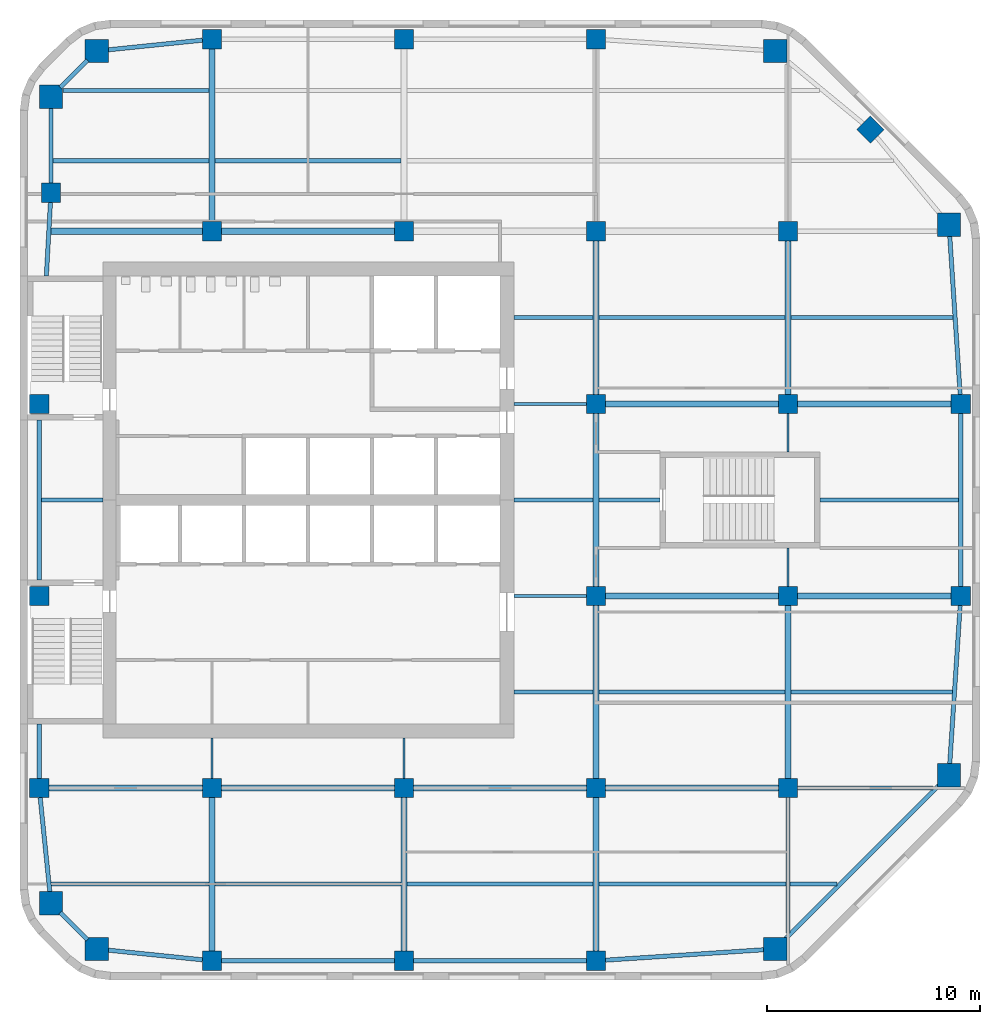
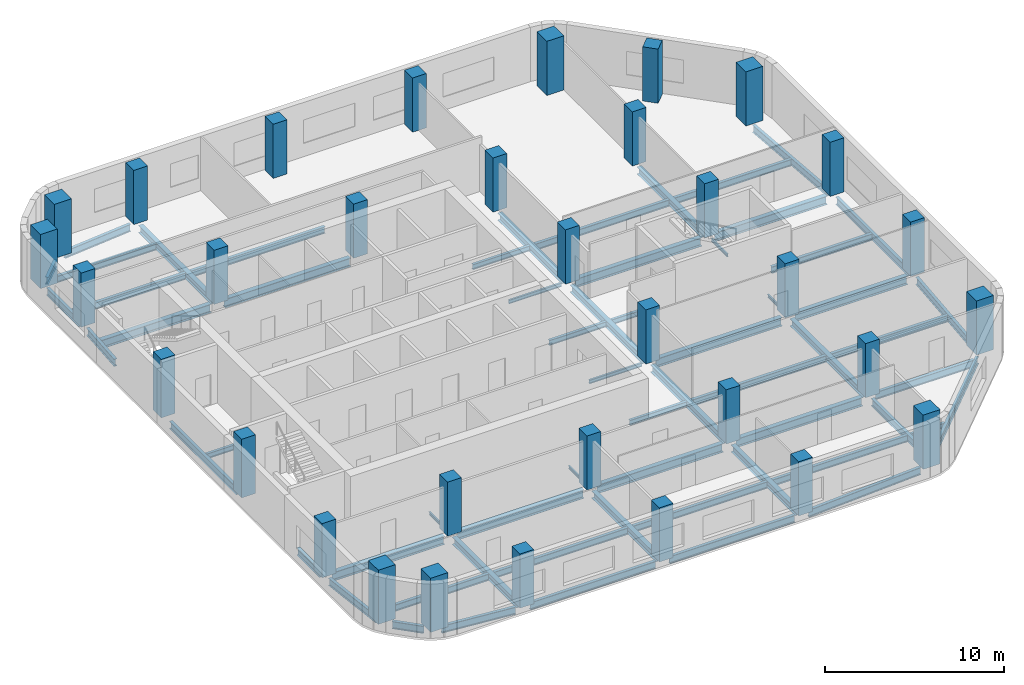
# One storey, part 1 of 8: 61 beams, 33 columns.
"""IFC4 building model written with IfcOpenShell, lengths in metres."""

from ifc_helpers import new_model, si_unit, direction, frame, origin, origin_2d, place, context, subcontext, project, spatial, rectangle, i_section, extrude, material, material_profile, profile_set, type_object, element, save


model = new_model("IFC4")

# Units and contexts
model_context = context("Model", 3, precision=1e-05, world=origin(), true_north=direction((0.0, 1.0)))
body_context = subcontext(model_context, "Body", "Model", "MODEL_VIEW")
ifc_project = project(units=[si_unit("LENGTHUNIT", "METRE"), si_unit("AREAUNIT", "SQUARE_METRE"), si_unit("VOLUMEUNIT", "CUBIC_METRE"), si_unit("PLANEANGLEUNIT", "RADIAN"), si_unit("MASSUNIT", "GRAM", prefix="KILO")], contexts=[model_context])

# Site, building, storey
site_placement = place(None, origin())
site = spatial("IfcSite", under=ifc_project, at=site_placement, CompositionType="ELEMENT")
building_placement = place(site_placement, origin())
building = spatial("IfcBuilding", under=site, at=building_placement, Name="Cinnabar Reach Civic Tower", CompositionType="ELEMENT")
storey_placement = place(building_placement, frame((0.0, 0.0, 189.0)))
storey = spatial("IfcBuildingStorey", under=building, at=storey_placement, Name="L45", CompositionType="ELEMENT", Elevation=189.0)

# Columns
ifc_material_1 = material(Name="Concrete C80", Category="concrete")
ifc_material_profile_1 = material_profile(ifc_material_1, rectangle(XDim=1.1, YDim=1.1, at=origin_2d()), Name="RC1100")
ifc_profile_set_1 = profile_set([ifc_material_profile_1], Name="Concrete C80")
column_type_1 = type_object("IfcColumnType", Name="RC1100 column R 240", PredefinedType="COLUMN", material=ifc_profile_set_1)
for number, where, z_axis, x_axis, name in (
    (1, (3.6019, 10.4531, 0.0), (0.0, 0.0, 1.0), (1.0, 0.0, 0.0), "Column T1-Z3-CC0"),
    (2, (35.3981, 10.4531, 0.0), (0.0, 0.0, 1.0), (1.0, 0.0, 0.0), "Column T1-Z3-CC1"),
    (3, (43.5469, 18.6019, 0.0), (0.0, 0.0, 1.0), (1.0, 0.0, 0.0), "Column T1-Z3-CC2"),
    (4, (43.5469, 44.3981, 0.0), (0.0, 0.0, 1.0), (1.0, 0.0, 0.0), "Column T1-Z3-CC3"),
    (5, (35.3981, 52.5469, 0.0), (0.0, 0.0, 1.0), (1.0, 0.0, 0.0), "Column T1-Z3-CC4"),
    (6, (3.6019, 52.5469, 0.0), (0.0, 0.0, 1.0), (1.0, 0.0, 0.0), "Column T1-Z3-CC5"),
    (7, (1.4531, 50.3981, 0.0), (0.0, 0.0, 1.0), (1.0, 0.0, 0.0), "Column T1-Z3-CC6"),
    (8, (1.4531, 12.6019, 0.0), (0.0, 0.0, 1.0), (1.0, 0.0, 0.0), "Column T1-Z3-CC7"),
):
    element("IfcColumn", number, at=place(storey_placement, frame(where, z_axis=z_axis, x_axis=x_axis)), inside=storey, type_object=column_type_1, Name=name, PredefinedType="COLUMN", context=body_context, shape_type="SweptSolid", body=[
        extrude(rectangle(XDim=1.1, YDim=1.1, at=origin_2d()), origin(), (0.0, 0.0, 1.0), 3.7),
    ])
ifc_material_2 = material(Name="Concrete C70", Category="concrete")
ifc_material_profile_2 = material_profile(ifc_material_2, rectangle(XDim=0.9, YDim=0.9, at=origin_2d()), Name="RC900")
ifc_profile_set_2 = profile_set([ifc_material_profile_2], Name="Concrete C70")
column_type_2 = type_object("IfcColumnType", Name="RC900 column R 240", PredefinedType="COLUMN", material=ifc_profile_set_2)
for number, where, z_axis, x_axis, name in (
    (9, (9.0, 9.9, 0.0), (0.0, 0.0, 1.0), (1.0, 0.0, 0.0), "Column T1-Z3-F0-1"),
    (10, (18.0, 9.9, 0.0), (0.0, 0.0, 1.0), (1.0, 0.0, 0.0), "Column T1-Z3-F0-2"),
    (11, (27.0, 9.9, 0.0), (0.0, 0.0, 1.0), (1.0, 0.0, 0.0), "Column T1-Z3-F0-3"),
    (12, (44.1, 27.0, 0.0), (0.0, 0.0, 1.0), (1.0, 0.0, 0.0), "Column T1-Z3-F2-3"),
    (13, (44.1, 36.0, 0.0), (0.0, 0.0, 1.0), (1.0, 0.0, 0.0), "Column T1-Z3-F2-4"),
    (14, (39.8636, 48.8636, 0.0), (0.0, 0.0, 1.0), (0.707106781187, 0.707106781187, 0.0), "Column T1-Z3-F3-M"),
    (15, (9.0, 53.1, 0.0), (0.0, 0.0, 1.0), (1.0, 0.0, 0.0), "Column T1-Z3-F4-1"),
    (16, (18.0, 53.1, 0.0), (0.0, 0.0, 1.0), (1.0, 0.0, 0.0), "Column T1-Z3-F4-2"),
    (17, (27.0, 53.1, 0.0), (0.0, 0.0, 1.0), (1.0, 0.0, 0.0), "Column T1-Z3-F4-3"),
    (18, (0.9, 18.0, 0.0), (0.0, 0.0, 1.0), (1.0, 0.0, 0.0), "Column T1-Z3-F6-2"),
):
    element("IfcColumn", number, at=place(storey_placement, frame(where, z_axis=z_axis, x_axis=x_axis)), inside=storey, type_object=column_type_2, Name=name, PredefinedType="COLUMN", context=body_context, shape_type="SweptSolid", body=[
        extrude(rectangle(XDim=0.9, YDim=0.9, at=origin_2d()), origin(), (0.0, 0.0, 1.0), 3.7),
    ])
for number, where, z_axis, x_axis, name in (
    (19, (0.9, 27.0, 0.0), (0.0, 0.0, 1.0), (1.0, 0.0, 0.0), "Column T1-Z3-F6-3"),
    (20, (0.9, 36.0, 0.0), (0.0, 0.0, 1.0), (1.0, 0.0, 0.0), "Column T1-Z3-F6-4"),
):
    element("IfcColumn", number, at=place(storey_placement, frame(where, z_axis=z_axis, x_axis=x_axis)), inside=storey, type_object=column_type_2, Name=name, PredefinedType="COLUMN", context=body_context, shape_type="SweptSolid", body=[
        extrude(rectangle(XDim=0.9, YDim=0.9, at=origin_2d()), origin(), (0.0, 0.0, 1.0), 4.0),
    ])
for number, where, z_axis, x_axis, name in (
    (21, (1.4531, 45.8981, 0.0), (0.0, 0.0, 1.0), (1.0, 0.0, 0.0), "Column T1-Z3-F6-5"),
    (22, (9.0, 18.0, 0.0), (0.0, 0.0, 1.0), (1.0, 0.0, 0.0), "Column T1-Z3-I9_18"),
    (23, (9.0, 44.1, 0.0), (0.0, 0.0, 1.0), (1.0, 0.0, 0.0), "Column T1-Z3-I9_45"),
    (24, (18.0, 18.0, 0.0), (0.0, 0.0, 1.0), (1.0, 0.0, 0.0), "Column T1-Z3-I18_18"),
    (25, (18.0, 44.1, 0.0), (0.0, 0.0, 1.0), (1.0, 0.0, 0.0), "Column T1-Z3-I18_45"),
    (26, (27.0, 18.0, 0.0), (0.0, 0.0, 1.0), (1.0, 0.0, 0.0), "Column T1-Z3-I27_18"),
    (27, (27.0, 27.0, 0.0), (0.0, 0.0, 1.0), (1.0, 0.0, 0.0), "Column T1-Z3-I27_27"),
    (28, (27.0, 36.0, 0.0), (0.0, 0.0, 1.0), (1.0, 0.0, 0.0), "Column T1-Z3-I27_36"),
    (29, (27.0, 44.1, 0.0), (0.0, 0.0, 1.0), (1.0, 0.0, 0.0), "Column T1-Z3-I27_45"),
    (30, (36.0, 18.0, 0.0), (0.0, 0.0, 1.0), (1.0, 0.0, 0.0), "Column T1-Z3-I36_18"),
    (31, (36.0, 27.0, 0.0), (0.0, 0.0, 1.0), (1.0, 0.0, 0.0), "Column T1-Z3-I36_27"),
    (32, (36.0, 36.0, 0.0), (0.0, 0.0, 1.0), (1.0, 0.0, 0.0), "Column T1-Z3-I36_36"),
    (33, (36.0, 44.1, 0.0), (0.0, 0.0, 1.0), (1.0, 0.0, 0.0), "Column T1-Z3-I36_45"),
):
    element("IfcColumn", number, at=place(storey_placement, frame(where, z_axis=z_axis, x_axis=x_axis)), inside=storey, type_object=column_type_2, Name=name, PredefinedType="COLUMN", context=body_context, shape_type="SweptSolid", body=[
        extrude(rectangle(XDim=0.9, YDim=0.9, at=origin_2d()), origin(), (0.0, 0.0, 1.0), 3.7),
    ])

# Beams
ifc_material_3 = material(Name="Steel Q355B", Category="steel")
ifc_material_profile_3 = material_profile(ifc_material_3, i_section(OverallWidth=0.3, OverallDepth=0.488, WebThickness=0.011, FlangeThickness=0.018, FilletRadius=0.016, at=origin_2d()), Name="HM488x300x11x18")
ifc_profile_set_3 = profile_set([ifc_material_profile_3], Name="Steel Q355B")
beam_type_1 = type_object("IfcBeamType", Name="HM488x300x11x18 beam R 180", PredefinedType="BEAM", material=ifc_profile_set_3)
beam_1_placement = place(storey_placement, frame((9.0, 10.352, -0.394), z_axis=(0.0, 1.0, 0.0), x_axis=(-1.0, 0.0, 0.0)))
element("IfcBeam", 34, at=beam_1_placement, inside=storey, type_object=beam_type_1, Name="Girder T1 L45 1", PredefinedType="BEAM", context=body_context, shape_type="SweptSolid", body=[
    extrude(i_section(OverallWidth=0.3, OverallDepth=0.488, WebThickness=0.011, FlangeThickness=0.018, FilletRadius=0.016, at=origin_2d()), origin(), (0.0, 0.0, 1.0), 7.196),
])
beam_2_placement = place(storey_placement, frame((9.0, 44.552, -0.394), z_axis=(0.0, 1.0, 0.0), x_axis=(-1.0, 0.0, 0.0)))
element("IfcBeam", 35, at=beam_2_placement, inside=storey, type_object=beam_type_1, Name="Girder T1 L45 3", PredefinedType="BEAM", context=body_context, shape_type="SweptSolid", body=[
    extrude(i_section(OverallWidth=0.3, OverallDepth=0.488, WebThickness=0.011, FlangeThickness=0.018, FilletRadius=0.016, at=origin_2d()), origin(), (0.0, 0.0, 1.0), 8.096),
])
for number, where, z_axis, x_axis, name in (
    (36, (18.0, 10.352, -0.394), (0.0, 1.0, 0.0), (-1.0, 0.0, 0.0), "Girder T1 L45 4"),
    (37, (27.0, 10.352, -0.394), (0.0, 1.0, 0.0), (-1.0, 0.0, 0.0), "Girder T1 L45 7"),
):
    element("IfcBeam", number, at=place(storey_placement, frame(where, z_axis=z_axis, x_axis=x_axis)), inside=storey, type_object=beam_type_1, Name=name, PredefinedType="BEAM", context=body_context, shape_type="SweptSolid", body=[
        extrude(i_section(OverallWidth=0.3, OverallDepth=0.488, WebThickness=0.011, FlangeThickness=0.018, FilletRadius=0.016, at=origin_2d()), origin(), (0.0, 0.0, 1.0), 7.196),
    ])
for number, where, z_axis, x_axis, name in (
    (38, (27.0, 18.452, -0.394), (0.0, 1.0, 0.0), (-1.0, 0.0, 0.0), "Girder T1 L45 8"),
    (39, (27.0, 27.452, -0.394), (0.0, 1.0, 0.0), (-1.0, 0.0, 0.0), "Girder T1 L45 9"),
):
    element("IfcBeam", number, at=place(storey_placement, frame(where, z_axis=z_axis, x_axis=x_axis)), inside=storey, type_object=beam_type_1, Name=name, PredefinedType="BEAM", context=body_context, shape_type="SweptSolid", body=[
        extrude(i_section(OverallWidth=0.3, OverallDepth=0.488, WebThickness=0.011, FlangeThickness=0.018, FilletRadius=0.016, at=origin_2d()), origin(), (0.0, 0.0, 1.0), 8.096),
    ])
beam_3_placement = place(storey_placement, frame((27.0, 36.452, -0.394), z_axis=(0.0, 1.0, 0.0), x_axis=(-1.0, 0.0, 0.0)))
element("IfcBeam", 40, at=beam_3_placement, inside=storey, type_object=beam_type_1, Name="Girder T1 L45 10", PredefinedType="BEAM", context=body_context, shape_type="SweptSolid", body=[
    extrude(i_section(OverallWidth=0.3, OverallDepth=0.488, WebThickness=0.011, FlangeThickness=0.018, FilletRadius=0.016, at=origin_2d()), origin(), (0.0, 0.0, 1.0), 7.196),
])
beam_4_placement = place(storey_placement, frame((36.0, 18.452, -0.394), z_axis=(0.0, 1.0, 0.0), x_axis=(-1.0, 0.0, 0.0)))
element("IfcBeam", 41, at=beam_4_placement, inside=storey, type_object=beam_type_1, Name="Girder T1 L45 13", PredefinedType="BEAM", context=body_context, shape_type="SweptSolid", body=[
    extrude(i_section(OverallWidth=0.3, OverallDepth=0.488, WebThickness=0.011, FlangeThickness=0.018, FilletRadius=0.016, at=origin_2d()), origin(), (0.0, 0.0, 1.0), 8.096),
])
beam_5_placement = place(storey_placement, frame((36.0, 36.452, -0.394), z_axis=(0.0, 1.0, 0.0), x_axis=(-1.0, 0.0, 0.0)))
element("IfcBeam", 42, at=beam_5_placement, inside=storey, type_object=beam_type_1, Name="Girder T1 L45 16", PredefinedType="BEAM", context=body_context, shape_type="SweptSolid", body=[
    extrude(i_section(OverallWidth=0.3, OverallDepth=0.488, WebThickness=0.011, FlangeThickness=0.018, FilletRadius=0.016, at=origin_2d()), origin(), (0.0, 0.0, 1.0), 7.196),
])
ifc_material_profile_4 = material_profile(ifc_material_3, i_section(OverallWidth=0.3, OverallDepth=0.588, WebThickness=0.012, FlangeThickness=0.02, FilletRadius=0.016, at=origin_2d()), Name="HM588x300x12x20")
ifc_profile_set_4 = profile_set([ifc_material_profile_4], Name="Steel Q355B")
beam_type_2 = type_object("IfcBeamType", Name="HM588x300x12x20 beam R 180", PredefinedType="BEAM", material=ifc_profile_set_4)
beam_6_placement = place(storey_placement, frame((1.352, 18.0, -0.444), z_axis=(1.0, 0.0, 0.0), x_axis=(0.0, 1.0, 0.0)))
element("IfcBeam", 43, at=beam_6_placement, inside=storey, type_object=beam_type_2, Name="Girder T1 L45 1", PredefinedType="BEAM", context=body_context, shape_type="SweptSolid", body=[
    extrude(i_section(OverallWidth=0.3, OverallDepth=0.588, WebThickness=0.012, FlangeThickness=0.02, FilletRadius=0.016, at=origin_2d()), origin(), (0.0, 0.0, 1.0), 7.196),
])
for number, where, z_axis, x_axis, name in (
    (44, (9.452, 18.0, -0.444), (1.0, 0.0, 0.0), (0.0, 1.0, 0.0), "Girder T1 L45 2"),
    (45, (18.452, 18.0, -0.444), (1.0, 0.0, 0.0), (0.0, 1.0, 0.0), "Girder T1 L45 3"),
    (46, (27.452, 18.0, -0.444), (1.0, 0.0, 0.0), (0.0, 1.0, 0.0), "Girder T1 L45 4"),
    (47, (27.452, 27.0, -0.444), (1.0, 0.0, 0.0), (0.0, 1.0, 0.0), "Girder T1 L45 7"),
):
    element("IfcBeam", number, at=place(storey_placement, frame(where, z_axis=z_axis, x_axis=x_axis)), inside=storey, type_object=beam_type_2, Name=name, PredefinedType="BEAM", context=body_context, shape_type="SweptSolid", body=[
        extrude(i_section(OverallWidth=0.3, OverallDepth=0.588, WebThickness=0.012, FlangeThickness=0.02, FilletRadius=0.016, at=origin_2d()), origin(), (0.0, 0.0, 1.0), 8.096),
    ])
beam_7_placement = place(storey_placement, frame((36.452, 27.0, -0.444), z_axis=(1.0, 0.0, 0.0), x_axis=(0.0, 1.0, 0.0)))
element("IfcBeam", 48, at=beam_7_placement, inside=storey, type_object=beam_type_2, Name="Girder T1 L45 8", PredefinedType="BEAM", context=body_context, shape_type="SweptSolid", body=[
    extrude(i_section(OverallWidth=0.3, OverallDepth=0.588, WebThickness=0.012, FlangeThickness=0.02, FilletRadius=0.016, at=origin_2d()), origin(), (0.0, 0.0, 1.0), 7.196),
])
beam_8_placement = place(storey_placement, frame((27.452, 36.0, -0.444), z_axis=(1.0, 0.0, 0.0), x_axis=(0.0, 1.0, 0.0)))
element("IfcBeam", 49, at=beam_8_placement, inside=storey, type_object=beam_type_2, Name="Girder T1 L45 10", PredefinedType="BEAM", context=body_context, shape_type="SweptSolid", body=[
    extrude(i_section(OverallWidth=0.3, OverallDepth=0.588, WebThickness=0.012, FlangeThickness=0.02, FilletRadius=0.016, at=origin_2d()), origin(), (0.0, 0.0, 1.0), 8.096),
])
beam_9_placement = place(storey_placement, frame((36.452, 36.0, -0.444), z_axis=(1.0, 0.0, 0.0), x_axis=(0.0, 1.0, 0.0)))
element("IfcBeam", 50, at=beam_9_placement, inside=storey, type_object=beam_type_2, Name="Girder T1 L45 11", PredefinedType="BEAM", context=body_context, shape_type="SweptSolid", body=[
    extrude(i_section(OverallWidth=0.3, OverallDepth=0.588, WebThickness=0.012, FlangeThickness=0.02, FilletRadius=0.016, at=origin_2d()), origin(), (0.0, 0.0, 1.0), 7.196),
])
beam_10_placement = place(storey_placement, frame((1.4548, 44.1, -0.444), z_axis=(1.0, 0.0, 0.0), x_axis=(0.0, 1.0, 0.0)))
element("IfcBeam", 51, at=beam_10_placement, inside=storey, type_object=beam_type_2, Name="Girder T1 L45 12", PredefinedType="BEAM", context=body_context, shape_type="SweptSolid", body=[
    extrude(i_section(OverallWidth=0.3, OverallDepth=0.588, WebThickness=0.012, FlangeThickness=0.02, FilletRadius=0.016, at=origin_2d()), origin(), (0.0, 0.0, 1.0), 7.0932),
])
beam_11_placement = place(storey_placement, frame((9.452, 44.1, -0.444), z_axis=(1.0, 0.0, 0.0), x_axis=(0.0, 1.0, 0.0)))
element("IfcBeam", 52, at=beam_11_placement, inside=storey, type_object=beam_type_2, Name="Girder T1 L45 13", PredefinedType="BEAM", context=body_context, shape_type="SweptSolid", body=[
    extrude(i_section(OverallWidth=0.3, OverallDepth=0.588, WebThickness=0.012, FlangeThickness=0.02, FilletRadius=0.016, at=origin_2d()), origin(), (0.0, 0.0, 1.0), 8.096),
])
ifc_material_profile_5 = material_profile(ifc_material_3, i_section(OverallWidth=0.099, OverallDepth=0.198, WebThickness=0.0045, FlangeThickness=0.007, FilletRadius=0.013, at=origin_2d()), Name="HN200x100x5.5x8")
ifc_profile_set_5 = profile_set([ifc_material_profile_5], Name="Steel Q355B")
beam_type_3 = type_object("IfcBeamType", Name="HN200x100x5.5x8 beam R 180", PredefinedType="BEAM", material=ifc_profile_set_5)
for number, where, z_axis, x_axis, name in (
    (53, (9.0, 18.452, -0.249), (0.0, 1.0, 0.0), (-1.0, 0.0, 0.0), "Girder T1 L45 2"),
    (54, (18.0, 18.452, -0.249), (0.0, 1.0, 0.0), (-1.0, 0.0, 0.0), "Girder T1 L45 5"),
):
    element("IfcBeam", number, at=place(storey_placement, frame(where, z_axis=z_axis, x_axis=x_axis)), inside=storey, type_object=beam_type_3, Name=name, PredefinedType="BEAM", context=body_context, shape_type="SweptSolid", body=[
        extrude(i_section(OverallWidth=0.099, OverallDepth=0.198, WebThickness=0.0045, FlangeThickness=0.007, FilletRadius=0.013, at=origin_2d()), origin(), (0.0, 0.0, 1.0), 1.896),
    ])
for number, where, z_axis, x_axis, name in (
    (55, (36.0, 27.452, -0.249), (0.0, 1.0, 0.0), (-1.0, 0.0, 0.0), "Girder T1 L45 14"),
    (56, (36.0, 33.752, -0.249), (0.0, 1.0, 0.0), (-1.0, 0.0, 0.0), "Girder T1 L45 15"),
):
    element("IfcBeam", number, at=place(storey_placement, frame(where, z_axis=z_axis, x_axis=x_axis)), inside=storey, type_object=beam_type_3, Name=name, PredefinedType="BEAM", context=body_context, shape_type="SweptSolid", body=[
        extrude(i_section(OverallWidth=0.099, OverallDepth=0.198, WebThickness=0.0045, FlangeThickness=0.007, FilletRadius=0.013, at=origin_2d()), origin(), (0.0, 0.0, 1.0), 1.796),
    ])
ifc_material_profile_6 = material_profile(ifc_material_3, i_section(OverallWidth=0.124, OverallDepth=0.248, WebThickness=0.005, FlangeThickness=0.008, FilletRadius=0.013, at=origin_2d()), Name="HN250x125x6x9")
ifc_profile_set_6 = profile_set([ifc_material_profile_6], Name="Steel Q355B")
beam_type_4 = type_object("IfcBeamType", Name="HN250x125x6x9 beam R 180", PredefinedType="BEAM", material=ifc_profile_set_6)
for number, where, z_axis, x_axis, name in (
    (57, (23.152, 27.0, -0.274), (1.0, 0.0, 0.0), (0.0, 1.0, 0.0), "Girder T1 L45 6"),
    (58, (23.152, 36.0, -0.274), (1.0, 0.0, 0.0), (0.0, 1.0, 0.0), "Girder T1 L45 9"),
):
    element("IfcBeam", number, at=place(storey_placement, frame(where, z_axis=z_axis, x_axis=x_axis)), inside=storey, type_object=beam_type_4, Name=name, PredefinedType="BEAM", context=body_context, shape_type="SweptSolid", body=[
        extrude(i_section(OverallWidth=0.124, OverallDepth=0.248, WebThickness=0.005, FlangeThickness=0.008, FilletRadius=0.013, at=origin_2d()), origin(), (0.0, 0.0, 1.0), 3.396),
    ])
ifc_material_profile_7 = material_profile(ifc_material_3, i_section(OverallWidth=0.175, OverallDepth=0.35, WebThickness=0.007, FlangeThickness=0.011, FilletRadius=0.013, at=origin_2d()), Name="HN350x175x7x11")
ifc_profile_set_7 = profile_set([ifc_material_profile_7], Name="Steel Q355B")
beam_type_5 = type_object("IfcBeamType", Name="HN350x175x7x11 beam R 180", PredefinedType="BEAM", material=ifc_profile_set_7)
beam_12_placement = place(storey_placement, frame((36.102, 13.5, -0.325), z_axis=(1.0, 0.0, 0.0), x_axis=(0.0, 1.0, 0.0)))
element("IfcBeam", 59, at=beam_12_placement, inside=storey, type_object=beam_type_5, Name="Secondary beam T1 L45 5", PredefinedType="BEAM", context=body_context, shape_type="SweptSolid", body=[
    extrude(i_section(OverallWidth=0.175, OverallDepth=0.35, WebThickness=0.007, FlangeThickness=0.011, FilletRadius=0.013, at=origin_2d()), origin(), (0.0, 0.0, 1.0), 2.1988),
])
beam_13_placement = place(storey_placement, frame((23.152, 22.5, -0.325), z_axis=(1.0, 0.0, 0.0), x_axis=(0.0, 1.0, 0.0)))
element("IfcBeam", 60, at=beam_13_placement, inside=storey, type_object=beam_type_5, Name="Secondary beam T1 L45 6", PredefinedType="BEAM", context=body_context, shape_type="SweptSolid", body=[
    extrude(i_section(OverallWidth=0.175, OverallDepth=0.35, WebThickness=0.007, FlangeThickness=0.011, FilletRadius=0.013, at=origin_2d()), origin(), (0.0, 0.0, 1.0), 3.696),
])
beam_14_placement = place(storey_placement, frame((1.002, 31.5, -0.325), z_axis=(1.0, 0.0, 0.0), x_axis=(0.0, 1.0, 0.0)))
element("IfcBeam", 61, at=beam_14_placement, inside=storey, type_object=beam_type_5, Name="Secondary beam T1 L45 9", PredefinedType="BEAM", context=body_context, shape_type="SweptSolid", body=[
    extrude(i_section(OverallWidth=0.175, OverallDepth=0.35, WebThickness=0.007, FlangeThickness=0.011, FilletRadius=0.013, at=origin_2d()), origin(), (0.0, 0.0, 1.0), 2.896),
])
beam_15_placement = place(storey_placement, frame((23.152, 31.5, -0.325), z_axis=(1.0, 0.0, 0.0), x_axis=(0.0, 1.0, 0.0)))
element("IfcBeam", 62, at=beam_15_placement, inside=storey, type_object=beam_type_5, Name="Secondary beam T1 L45 10", PredefinedType="BEAM", context=body_context, shape_type="SweptSolid", body=[
    extrude(i_section(OverallWidth=0.175, OverallDepth=0.35, WebThickness=0.007, FlangeThickness=0.011, FilletRadius=0.013, at=origin_2d()), origin(), (0.0, 0.0, 1.0), 3.696),
])
beam_16_placement = place(storey_placement, frame((27.152, 31.5, -0.325), z_axis=(1.0, 0.0, 0.0), x_axis=(0.0, 1.0, 0.0)))
element("IfcBeam", 63, at=beam_16_placement, inside=storey, type_object=beam_type_5, Name="Secondary beam T1 L45 11", PredefinedType="BEAM", context=body_context, shape_type="SweptSolid", body=[
    extrude(i_section(OverallWidth=0.175, OverallDepth=0.35, WebThickness=0.007, FlangeThickness=0.011, FilletRadius=0.013, at=origin_2d()), origin(), (0.0, 0.0, 1.0), 2.846),
])
beam_17_placement = place(storey_placement, frame((23.152, 40.05, -0.325), z_axis=(1.0, 0.0, 0.0), x_axis=(0.0, 1.0, 0.0)))
element("IfcBeam", 64, at=beam_17_placement, inside=storey, type_object=beam_type_5, Name="Secondary beam T1 L45 13", PredefinedType="BEAM", context=body_context, shape_type="SweptSolid", body=[
    extrude(i_section(OverallWidth=0.175, OverallDepth=0.35, WebThickness=0.007, FlangeThickness=0.011, FilletRadius=0.013, at=origin_2d()), origin(), (0.0, 0.0, 1.0), 3.696),
])
ifc_material_profile_8 = material_profile(ifc_material_3, i_section(OverallWidth=0.2, OverallDepth=0.45, WebThickness=0.009, FlangeThickness=0.014, FilletRadius=0.016, at=origin_2d()), Name="HN450x200x9x14")
ifc_profile_set_8 = profile_set([ifc_material_profile_8], Name="Steel Q355B")
beam_type_6 = type_object("IfcBeamType", Name="HN450x200x9x14 beam R 180", PredefinedType="BEAM", material=ifc_profile_set_8)
beam_18_placement = place(storey_placement, frame((1.4636, 13.5, -0.375), z_axis=(1.0, 0.0, 0.0), x_axis=(0.0, 1.0, 0.0)))
element("IfcBeam", 65, at=beam_18_placement, inside=storey, type_object=beam_type_6, Name="Secondary beam T1 L45 1", PredefinedType="BEAM", context=body_context, shape_type="SweptSolid", body=[
    extrude(i_section(OverallWidth=0.2, OverallDepth=0.45, WebThickness=0.009, FlangeThickness=0.014, FilletRadius=0.016, at=origin_2d()), origin(), (0.0, 0.0, 1.0), 7.3844),
])
for number, where, z_axis, x_axis, name in (
    (66, (9.152, 13.5, -0.375), (1.0, 0.0, 0.0), (0.0, 1.0, 0.0), "Secondary beam T1 L45 2"),
    (67, (18.152, 13.5, -0.375), (1.0, 0.0, 0.0), (0.0, 1.0, 0.0), "Secondary beam T1 L45 3"),
):
    element("IfcBeam", number, at=place(storey_placement, frame(where, z_axis=z_axis, x_axis=x_axis)), inside=storey, type_object=beam_type_6, Name=name, PredefinedType="BEAM", context=body_context, shape_type="SweptSolid", body=[
        extrude(i_section(OverallWidth=0.2, OverallDepth=0.45, WebThickness=0.009, FlangeThickness=0.014, FilletRadius=0.016, at=origin_2d()), origin(), (0.0, 0.0, 1.0), 8.696),
    ])
beam_19_placement = place(storey_placement, frame((27.152, 13.5, -0.375), z_axis=(1.0, 0.0, 0.0), x_axis=(0.0, 1.0, 0.0)))
element("IfcBeam", 68, at=beam_19_placement, inside=storey, type_object=beam_type_6, Name="Secondary beam T1 L45 4", PredefinedType="BEAM", context=body_context, shape_type="SweptSolid", body=[
    extrude(i_section(OverallWidth=0.2, OverallDepth=0.45, WebThickness=0.009, FlangeThickness=0.014, FilletRadius=0.016, at=origin_2d()), origin(), (0.0, 0.0, 1.0), 8.746),
])
beam_20_placement = place(storey_placement, frame((27.152, 22.5, -0.375), z_axis=(1.0, 0.0, 0.0), x_axis=(0.0, 1.0, 0.0)))
element("IfcBeam", 69, at=beam_20_placement, inside=storey, type_object=beam_type_6, Name="Secondary beam T1 L45 7", PredefinedType="BEAM", context=body_context, shape_type="SweptSolid", body=[
    extrude(i_section(OverallWidth=0.2, OverallDepth=0.45, WebThickness=0.009, FlangeThickness=0.014, FilletRadius=0.016, at=origin_2d()), origin(), (0.0, 0.0, 1.0), 8.696),
])
beam_21_placement = place(storey_placement, frame((36.152, 22.5, -0.375), z_axis=(1.0, 0.0, 0.0), x_axis=(0.0, 1.0, 0.0)))
element("IfcBeam", 70, at=beam_21_placement, inside=storey, type_object=beam_type_6, Name="Secondary beam T1 L45 8", PredefinedType="BEAM", context=body_context, shape_type="SweptSolid", body=[
    extrude(i_section(OverallWidth=0.2, OverallDepth=0.45, WebThickness=0.009, FlangeThickness=0.014, FilletRadius=0.016, at=origin_2d()), origin(), (0.0, 0.0, 1.0), 7.5494),
])
beam_22_placement = place(storey_placement, frame((37.502, 31.5, -0.375), z_axis=(1.0, 0.0, 0.0), x_axis=(0.0, 1.0, 0.0)))
element("IfcBeam", 71, at=beam_22_placement, inside=storey, type_object=beam_type_6, Name="Secondary beam T1 L45 12", PredefinedType="BEAM", context=body_context, shape_type="SweptSolid", body=[
    extrude(i_section(OverallWidth=0.2, OverallDepth=0.45, WebThickness=0.009, FlangeThickness=0.014, FilletRadius=0.016, at=origin_2d()), origin(), (0.0, 0.0, 1.0), 6.496),
])
beam_23_placement = place(storey_placement, frame((27.152, 40.05, -0.375), z_axis=(1.0, 0.0, 0.0), x_axis=(0.0, 1.0, 0.0)))
element("IfcBeam", 72, at=beam_23_placement, inside=storey, type_object=beam_type_6, Name="Secondary beam T1 L45 14", PredefinedType="BEAM", context=body_context, shape_type="SweptSolid", body=[
    extrude(i_section(OverallWidth=0.2, OverallDepth=0.45, WebThickness=0.009, FlangeThickness=0.014, FilletRadius=0.016, at=origin_2d()), origin(), (0.0, 0.0, 1.0), 8.696),
])
beam_24_placement = place(storey_placement, frame((36.152, 40.05, -0.375), z_axis=(1.0, 0.0, 0.0), x_axis=(0.0, 1.0, 0.0)))
element("IfcBeam", 73, at=beam_24_placement, inside=storey, type_object=beam_type_6, Name="Secondary beam T1 L45 15", PredefinedType="BEAM", context=body_context, shape_type="SweptSolid", body=[
    extrude(i_section(OverallWidth=0.2, OverallDepth=0.45, WebThickness=0.009, FlangeThickness=0.014, FilletRadius=0.016, at=origin_2d()), origin(), (0.0, 0.0, 1.0), 7.579),
])
beam_25_placement = place(storey_placement, frame((1.5551, 47.4, -0.375), z_axis=(1.0, 0.0, 0.0), x_axis=(0.0, 1.0, 0.0)))
element("IfcBeam", 74, at=beam_25_placement, inside=storey, type_object=beam_type_6, Name="Secondary beam T1 L45 16", PredefinedType="BEAM", context=body_context, shape_type="SweptSolid", body=[
    extrude(i_section(OverallWidth=0.2, OverallDepth=0.45, WebThickness=0.009, FlangeThickness=0.014, FilletRadius=0.016, at=origin_2d()), origin(), (0.0, 0.0, 1.0), 7.2929),
])
beam_26_placement = place(storey_placement, frame((9.152, 47.4, -0.375), z_axis=(1.0, 0.0, 0.0), x_axis=(0.0, 1.0, 0.0)))
element("IfcBeam", 75, at=beam_26_placement, inside=storey, type_object=beam_type_6, Name="Secondary beam T1 L45 17", PredefinedType="BEAM", context=body_context, shape_type="SweptSolid", body=[
    extrude(i_section(OverallWidth=0.2, OverallDepth=0.45, WebThickness=0.009, FlangeThickness=0.014, FilletRadius=0.016, at=origin_2d()), origin(), (0.0, 0.0, 1.0), 8.696),
])
beam_27_placement = place(storey_placement, frame((2.0051, 50.7, -0.375), z_axis=(1.0, 0.0, 0.0), x_axis=(0.0, 1.0, 0.0)))
element("IfcBeam", 76, at=beam_27_placement, inside=storey, type_object=beam_type_6, Name="Secondary beam T1 L45 21", PredefinedType="BEAM", context=body_context, shape_type="SweptSolid", body=[
    extrude(i_section(OverallWidth=0.2, OverallDepth=0.45, WebThickness=0.009, FlangeThickness=0.014, FilletRadius=0.016, at=origin_2d()), origin(), (0.0, 0.0, 1.0), 6.8429),
])
ifc_material_profile_9 = material_profile(ifc_material_3, i_section(OverallWidth=0.2, OverallDepth=0.5, WebThickness=0.01, FlangeThickness=0.016, FilletRadius=0.016, at=origin_2d()), Name="HN500x200x10x16")
ifc_profile_set_9 = profile_set([ifc_material_profile_9], Name="Steel Q355B")
beam_type_7 = type_object("IfcBeamType", Name="HN500x200x10x16 beam R 180", PredefinedType="BEAM", material=ifc_profile_set_9)
beam_28_placement = place(storey_placement, frame((4.0339, 10.4088, -0.4), z_axis=(0.994792272495, -0.101923179821, 0.0), x_axis=(0.101923179821, 0.994792272495, 0.0)))
element("IfcBeam", 77, at=beam_28_placement, inside=storey, type_object=beam_type_7, Name="Edge beam T1 L45 1", PredefinedType="BEAM", context=body_context, shape_type="SweptSolid", body=[
    extrude(i_section(OverallWidth=0.2, OverallDepth=0.5, WebThickness=0.01, FlangeThickness=0.016, FilletRadius=0.016, at=origin_2d()), origin(), (0.0, 0.0, 1.0), 4.5377),
])
for number, where, z_axis, x_axis, name in (
    (78, (9.452, 9.9, -0.4), (1.0, 0.0, 0.0), (0.0, 1.0, 0.0), "Edge beam T1 L45 2"),
    (79, (18.452, 9.9, -0.4), (1.0, 0.0, 0.0), (0.0, 1.0, 0.0), "Edge beam T1 L45 3"),
):
    element("IfcBeam", number, at=place(storey_placement, frame(where, z_axis=z_axis, x_axis=x_axis)), inside=storey, type_object=beam_type_7, Name=name, PredefinedType="BEAM", context=body_context, shape_type="SweptSolid", body=[
        extrude(i_section(OverallWidth=0.2, OverallDepth=0.5, WebThickness=0.01, FlangeThickness=0.016, FilletRadius=0.016, at=origin_2d()), origin(), (0.0, 0.0, 1.0), 8.096),
    ])
beam_29_placement = place(storey_placement, frame((27.452, 9.9298, -0.4), z_axis=(0.99783894477, 0.065707231721, 0.0), x_axis=(-0.065707231721, 0.99783894477, 0.0)))
element("IfcBeam", 80, at=beam_29_placement, inside=storey, type_object=beam_type_7, Name="Edge beam T1 L45 4", PredefinedType="BEAM", context=body_context, shape_type="SweptSolid", body=[
    extrude(i_section(OverallWidth=0.2, OverallDepth=0.5, WebThickness=0.01, FlangeThickness=0.016, FilletRadius=0.016, at=origin_2d()), origin(), (0.0, 0.0, 1.0), 7.5304),
])
beam_30_placement = place(storey_placement, frame((35.8301, 10.8851, -0.4), z_axis=(0.707106781187, 0.707106781187, 0.0), x_axis=(-0.707106781187, 0.707106781187, 0.0)))
element("IfcBeam", 81, at=beam_30_placement, inside=storey, type_object=beam_type_7, Name="Edge beam T1 L45 5", PredefinedType="BEAM", context=body_context, shape_type="SweptSolid", body=[
    extrude(i_section(OverallWidth=0.2, OverallDepth=0.5, WebThickness=0.01, FlangeThickness=0.016, FilletRadius=0.016, at=origin_2d()), origin(), (0.0, 0.0, 1.0), 10.3023),
])
beam_31_placement = place(storey_placement, frame((43.5754, 19.0339, -0.4), z_axis=(0.065707231721, 0.99783894477, 0.0), x_axis=(-0.99783894477, 0.065707231721, 0.0)))
element("IfcBeam", 82, at=beam_31_placement, inside=storey, type_object=beam_type_7, Name="Edge beam T1 L45 6", PredefinedType="BEAM", context=body_context, shape_type="SweptSolid", body=[
    extrude(i_section(OverallWidth=0.2, OverallDepth=0.5, WebThickness=0.01, FlangeThickness=0.016, FilletRadius=0.016, at=origin_2d()), origin(), (0.0, 0.0, 1.0), 7.5304),
])
beam_32_placement = place(storey_placement, frame((44.1, 27.452, -0.4), z_axis=(0.0, 1.0, 0.0), x_axis=(-1.0, 0.0, 0.0)))
element("IfcBeam", 83, at=beam_32_placement, inside=storey, type_object=beam_type_7, Name="Edge beam T1 L45 7", PredefinedType="BEAM", context=body_context, shape_type="SweptSolid", body=[
    extrude(i_section(OverallWidth=0.2, OverallDepth=0.5, WebThickness=0.01, FlangeThickness=0.016, FilletRadius=0.016, at=origin_2d()), origin(), (0.0, 0.0, 1.0), 8.096),
])
beam_33_placement = place(storey_placement, frame((44.0702, 36.452, -0.4), z_axis=(-0.065707231721, 0.99783894477, 0.0), x_axis=(-0.99783894477, -0.065707231721, 0.0)))
element("IfcBeam", 84, at=beam_33_placement, inside=storey, type_object=beam_type_7, Name="Edge beam T1 L45 8", PredefinedType="BEAM", context=body_context, shape_type="SweptSolid", body=[
    extrude(i_section(OverallWidth=0.2, OverallDepth=0.5, WebThickness=0.01, FlangeThickness=0.016, FilletRadius=0.016, at=origin_2d()), origin(), (0.0, 0.0, 1.0), 7.5304),
])
beam_34_placement = place(storey_placement, frame((8.548, 53.0537, -0.4), z_axis=(-0.994792272495, -0.101923179821, 0.0), x_axis=(0.101923179821, -0.994792272495, 0.0)))
element("IfcBeam", 85, at=beam_34_placement, inside=storey, type_object=beam_type_7, Name="Edge beam T1 L45 14", PredefinedType="BEAM", context=body_context, shape_type="SweptSolid", body=[
    extrude(i_section(OverallWidth=0.2, OverallDepth=0.5, WebThickness=0.01, FlangeThickness=0.016, FilletRadius=0.016, at=origin_2d()), origin(), (0.0, 0.0, 1.0), 4.5377),
])
beam_35_placement = place(storey_placement, frame((3.1699, 52.1149, -0.4), z_axis=(-0.707106781187, -0.707106781187, 0.0), x_axis=(0.707106781187, -0.707106781187, 0.0)))
element("IfcBeam", 86, at=beam_35_placement, inside=storey, type_object=beam_type_7, Name="Edge beam T1 L45 15", PredefinedType="BEAM", context=body_context, shape_type="SweptSolid", body=[
    extrude(i_section(OverallWidth=0.2, OverallDepth=0.5, WebThickness=0.01, FlangeThickness=0.016, FilletRadius=0.016, at=origin_2d()), origin(), (0.0, 0.0, 1.0), 1.817),
])
beam_36_placement = place(storey_placement, frame((1.4531, 49.9661, -0.4), z_axis=(0.0, -1.0, 0.0), x_axis=(1.0, 0.0, 0.0)))
element("IfcBeam", 87, at=beam_36_placement, inside=storey, type_object=beam_type_7, Name="Edge beam T1 L45 16", PredefinedType="BEAM", context=body_context, shape_type="SweptSolid", body=[
    extrude(i_section(OverallWidth=0.2, OverallDepth=0.5, WebThickness=0.01, FlangeThickness=0.016, FilletRadius=0.016, at=origin_2d()), origin(), (0.0, 0.0, 1.0), 3.616),
])
beam_37_placement = place(storey_placement, frame((1.4278, 45.4461, -0.4), z_axis=(-0.0557766862, -0.998443268932, 0.0), x_axis=(0.998443268932, -0.0557766862, 0.0)))
element("IfcBeam", 88, at=beam_37_placement, inside=storey, type_object=beam_type_7, Name="Edge beam T1 L45 17", PredefinedType="BEAM", context=body_context, shape_type="SweptSolid", body=[
    extrude(i_section(OverallWidth=0.2, OverallDepth=0.5, WebThickness=0.01, FlangeThickness=0.016, FilletRadius=0.016, at=origin_2d()), origin(), (0.0, 0.0, 1.0), 3.4495),
])
beam_38_placement = place(storey_placement, frame((0.9, 35.248, -0.4), z_axis=(0.0, -1.0, 0.0), x_axis=(1.0, 0.0, 0.0)))
element("IfcBeam", 89, at=beam_38_placement, inside=storey, type_object=beam_type_7, Name="Edge beam T1 L45 18", PredefinedType="BEAM", context=body_context, shape_type="SweptSolid", body=[
    extrude(i_section(OverallWidth=0.2, OverallDepth=0.5, WebThickness=0.01, FlangeThickness=0.016, FilletRadius=0.016, at=origin_2d()), origin(), (0.0, 0.0, 1.0), 7.496),
])
beam_39_placement = place(storey_placement, frame((0.9, 20.998, -0.4), z_axis=(0.0, -1.0, 0.0), x_axis=(1.0, 0.0, 0.0)))
element("IfcBeam", 90, at=beam_39_placement, inside=storey, type_object=beam_type_7, Name="Edge beam T1 L45 19", PredefinedType="BEAM", context=body_context, shape_type="SweptSolid", body=[
    extrude(i_section(OverallWidth=0.2, OverallDepth=0.5, WebThickness=0.01, FlangeThickness=0.016, FilletRadius=0.016, at=origin_2d()), origin(), (0.0, 0.0, 1.0), 2.546),
])
beam_40_placement = place(storey_placement, frame((0.9463, 17.548, -0.4), z_axis=(0.101923179821, -0.994792272495, 0.0), x_axis=(0.994792272495, 0.101923179821, 0.0)))
element("IfcBeam", 91, at=beam_40_placement, inside=storey, type_object=beam_type_7, Name="Edge beam T1 L45 20", PredefinedType="BEAM", context=body_context, shape_type="SweptSolid", body=[
    extrude(i_section(OverallWidth=0.2, OverallDepth=0.5, WebThickness=0.01, FlangeThickness=0.016, FilletRadius=0.016, at=origin_2d()), origin(), (0.0, 0.0, 1.0), 4.5377),
])
beam_41_placement = place(storey_placement, frame((1.8851, 12.1699, -0.4), z_axis=(0.707106781187, -0.707106781187, 0.0), x_axis=(0.707106781187, 0.707106781187, 0.0)))
element("IfcBeam", 92, at=beam_41_placement, inside=storey, type_object=beam_type_7, Name="Edge beam T1 L45 21", PredefinedType="BEAM", context=body_context, shape_type="SweptSolid", body=[
    extrude(i_section(OverallWidth=0.2, OverallDepth=0.5, WebThickness=0.01, FlangeThickness=0.016, FilletRadius=0.016, at=origin_2d()), origin(), (0.0, 0.0, 1.0), 1.817),
])
for number, where, z_axis, x_axis, name in (
    (93, (36.452, 18.0, -0.4), (1.0, 0.0, 0.0), (0.0, 1.0, 0.0), "Girder T1 L45 5"),
    (94, (36.0, 11.1992, -0.4), (0.0, 1.0, 0.0), (-1.0, 0.0, 0.0), "Girder T1 L45 12"),
):
    element("IfcBeam", number, at=place(storey_placement, frame(where, z_axis=z_axis, x_axis=x_axis)), inside=storey, type_object=beam_type_7, Name=name, PredefinedType="BEAM", context=body_context, shape_type="SweptSolid", body=[
        extrude(i_section(OverallWidth=0.2, OverallDepth=0.5, WebThickness=0.01, FlangeThickness=0.016, FilletRadius=0.016, at=origin_2d()), origin(), (0.0, 0.0, 1.0), 6.3488),
    ])

save(model, "model.ifc")
